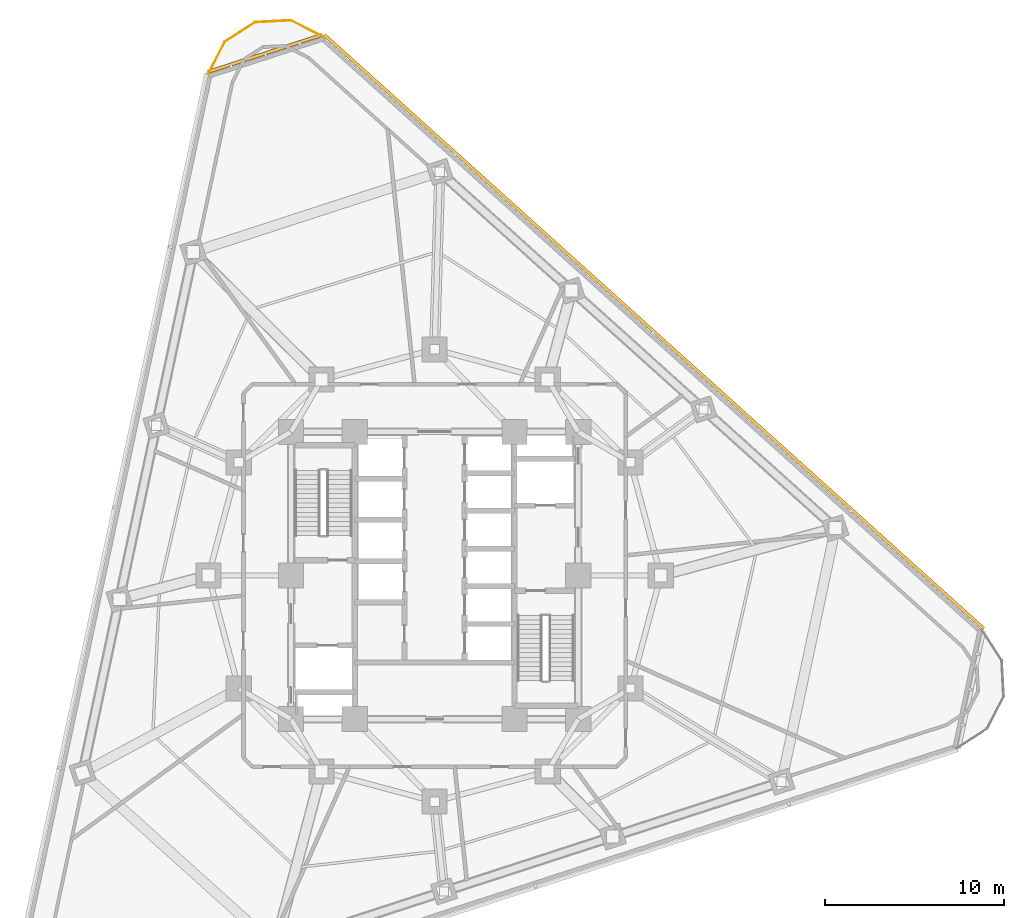
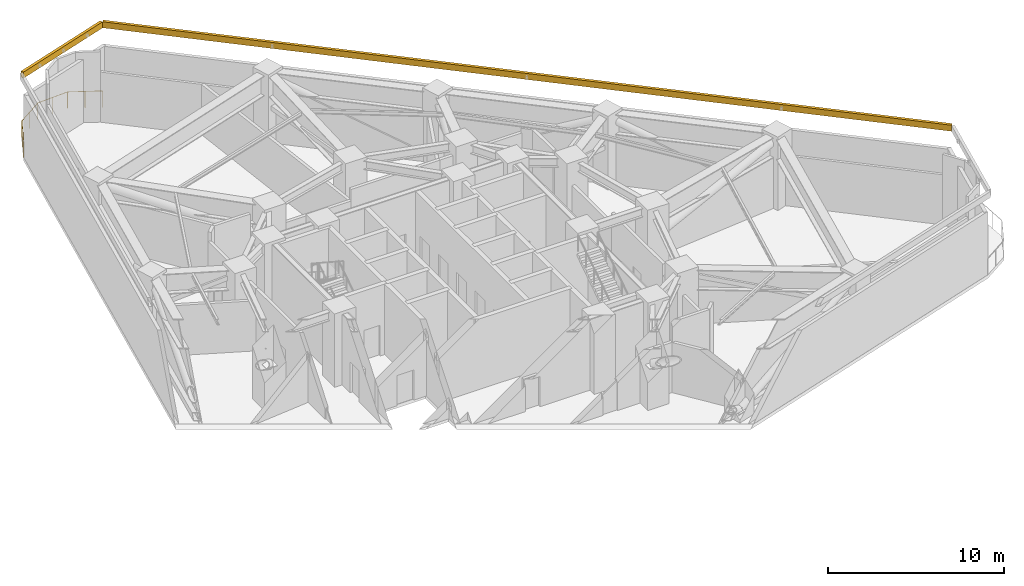
# One storey, part 10 of 10: 2 shading devices, 1 railing.
"""IFC4 building model written with IfcOpenShell, lengths in metres."""

from ifc_helpers import new_model, si_unit, direction, frame, origin, origin_2d, place, context, subcontext, project, spatial, rectangle, circle, extrude, material, layer, layer_set, type_object, element, save


model = new_model("IFC4")

# Units and contexts
model_context = context("Model", 3, precision=1e-05, world=origin(), true_north=direction((0.0, 1.0)))
body_context = subcontext(model_context, "Body", "Model", "MODEL_VIEW")
ifc_project = project(units=[si_unit("LENGTHUNIT", "METRE"), si_unit("AREAUNIT", "SQUARE_METRE"), si_unit("VOLUMEUNIT", "CUBIC_METRE"), si_unit("PLANEANGLEUNIT", "RADIAN"), si_unit("MASSUNIT", "GRAM", prefix="KILO")], contexts=[model_context])

# Site, building, storey
site_placement = place(None, origin())
site = spatial("IfcSite", under=ifc_project, at=site_placement, CompositionType="ELEMENT")
building_placement = place(site_placement, origin())
building = spatial("IfcBuilding", under=site, at=building_placement, Name="Terralouvre Media Tower", CompositionType="ELEMENT")
storey_placement = place(building_placement, frame((0.0, 0.0, 85.199951171875)))
storey = spatial("IfcBuildingStorey", under=building, at=storey_placement, Name="L21", CompositionType="ELEMENT", Elevation=85.199951171875)

# Shading devices
ifc_material_1 = material(Name="Extruded terracotta baguette sunshade louvres", Category="masonry")
shading_device_type = type_object("IfcShadingDeviceType", Name="Refuge Plant Acoustic Terracotta Louvre Grill TB-LV2", PredefinedType="JALOUSIE", material=ifc_material_1)
shading_device_1_placement = place(storey_placement, frame((12.226318359375, 13.578857421875, 5.486083984375), z_axis=(0.0, 0.0, 1.0), x_axis=(-0.743144795545, 0.669130639602, 0.0)))
element("IfcShadingDevice", 1, at=shading_device_1_placement, inside=storey, type_object=shading_device_type, Name="CW-L21-F1 Refuge Acoustic Terracotta Louvre", PredefinedType="JALOUSIE", context=body_context, shape_type="SweptSolid", body=[
    extrude(rectangle(XDim=49.43994140625, YDim=0.179931640625, at=origin_2d()), origin(), (0.0, 0.0, 1.0), 0.419921875),
])
shading_device_2_placement = place(storey_placement, frame((-9.450927734375, 29.08740234375, 5.486083984375), z_axis=(0.0, 0.0, 1.0), x_axis=(-0.951056286408, -0.309017701894, 0.0)))
element("IfcShadingDevice", 2, at=shading_device_2_placement, inside=storey, type_object=shading_device_type, Name="CW-L21-C2 Refuge Acoustic Terracotta Louvre", PredefinedType="JALOUSIE", context=body_context, shape_type="SweptSolid", body=[
    extrude(rectangle(XDim=6.720458984375, YDim=0.179931640625, at=origin_2d()), origin(), (0.0, 0.0, 1.0), 0.419921875),
])

# Railing
ifc_material_2 = material(Name="Stainless steel 316 handrail and balustrade", Category="steel")
ifc_layer = layer(ifc_material_2, 0.06005859375, Name="Roof Edge Safety Guardrail GR-ROOF1")
ifc_layer_set = layer_set([ifc_layer], Name="Stainless steel 316 handrail and balustrade")
railing_type = type_object("IfcRailingType", Name="Roof Edge Safety Guardrail GR-ROOF1", PredefinedType="GUARDRAIL", material=ifc_layer_set)
railing_placement = place(storey_placement, frame((-6.221435546875, 30.015869140625, 0.0)))
element("IfcRailing", 3, at=railing_placement, inside=storey, type_object=railing_type, Name="L21 Wind-Corner Perimeter Safety Guardrail C2", PredefinedType="GUARDRAIL", context=body_context, shape_type="SweptSolid", body=[
    extrude(circle(Radius=0.02099609375, at=origin_2d()), frame((0.0, 0.0, 1.12890625), z_axis=(-0.890922546915, 0.454155276748, 0.0), x_axis=(-0.454155276748, -0.890922546915, 0.0)), (0.0, 0.0, 1.0), 2.0078125),
    extrude(circle(Radius=0.02099609375, at=origin_2d()), frame((-1.788818359375, 0.911865234375, 1.12890625), z_axis=(-0.998637914219, -0.052175820874, 0.0), x_axis=(0.052175820874, -0.998637914219, 0.0)), (0.0, 0.0, 1.0), 2.00732421875),
    extrude(circle(Radius=0.02099609375, at=origin_2d()), frame((-3.79345703125, 0.80712890625, 1.12890625), z_axis=(-0.838632501794, -0.544697647264, 0.0), x_axis=(0.544697647264, -0.838632501794, 0.0)), (0.0, 0.0, 1.0), 2.007568359375),
    extrude(circle(Radius=0.02099609375, at=origin_2d()), frame((-5.47705078125, -0.286376953125, 1.12890625), z_axis=(-0.453767310879, -0.891120209387, 0.0), x_axis=(0.891120209387, -0.453767310879, 0.0)), (0.0, 0.0, 1.0), 2.0078125),
    extrude(circle(Radius=0.01904296875, at=origin_2d()), origin(), (0.0, 0.0, 1.0), 1.10791015625),
    extrude(circle(Radius=0.01904296875, at=origin_2d()), frame((-0.89453125, 0.4560546875, 0.0)), (0.0, 0.0, 1.0), 1.10791015625),
    extrude(circle(Radius=0.01904296875, at=origin_2d()), frame((-1.788818359375, 0.911865234375, 0.0)), (0.0, 0.0, 1.0), 1.10791015625),
    extrude(circle(Radius=0.01904296875, at=origin_2d()), frame((-2.791015625, 0.859375, 0.0)), (0.0, 0.0, 1.0), 1.10791015625),
    extrude(circle(Radius=0.01904296875, at=origin_2d()), frame((-3.79345703125, 0.80712890625, 0.0)), (0.0, 0.0, 1.0), 1.10791015625),
    extrude(circle(Radius=0.01904296875, at=origin_2d()), frame((-4.63525390625, 0.26025390625, 0.0)), (0.0, 0.0, 1.0), 1.10791015625),
    extrude(circle(Radius=0.01904296875, at=origin_2d()), frame((-5.47705078125, -0.286376953125, 0.0)), (0.0, 0.0, 1.0), 1.10791015625),
    extrude(circle(Radius=0.01904296875, at=origin_2d()), frame((-5.9326171875, -1.18115234375, 0.0)), (0.0, 0.0, 1.0), 1.10791015625),
    extrude(circle(Radius=0.01904296875, at=origin_2d()), frame((-6.38818359375, -2.07568359375, 0.0)), (0.0, 0.0, 1.0), 1.10791015625),
])

save(model, "model.ifc")
